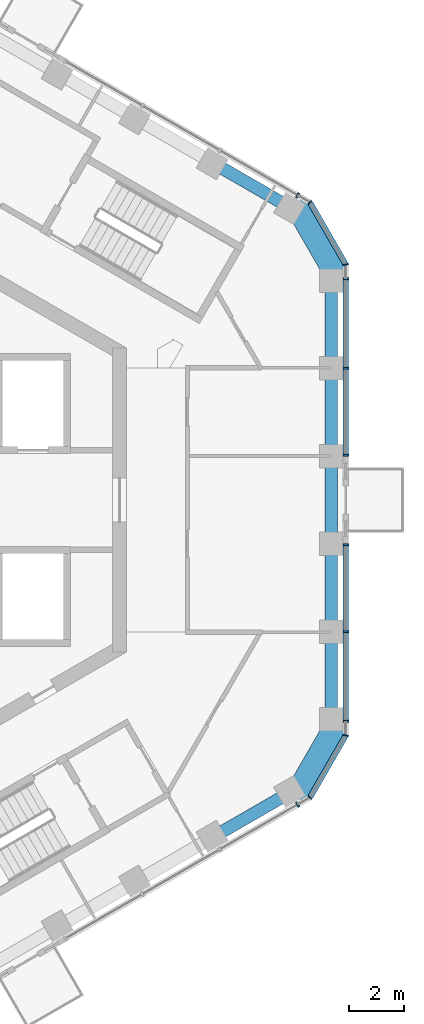
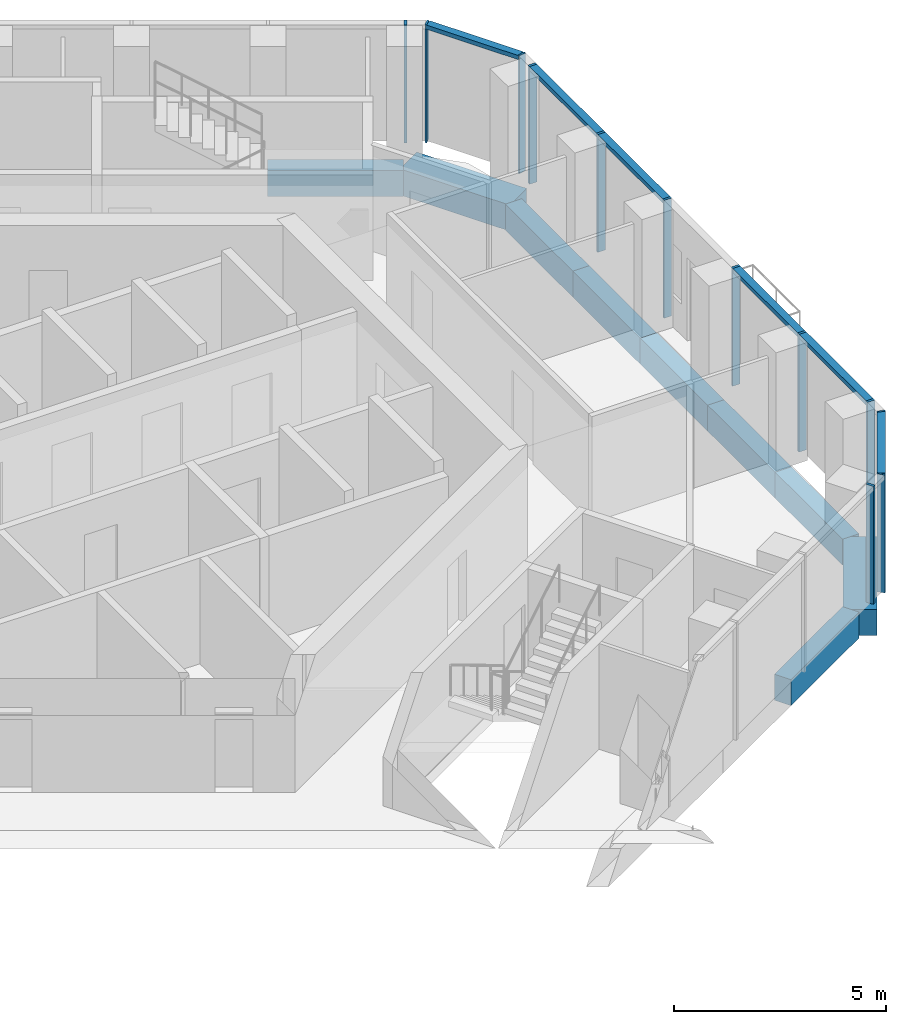
# One storey, part 5 of 19: 16 members, 9 beams, 6 elements without a shape of their own.
"""IFC4 building model written with IfcOpenShell, lengths in metres."""

from ifc_helpers import new_model, si_unit, direction, frame, origin, origin_2d, place, context, subcontext, project, spatial, rectangle, extrude, material, layer, layer_set, material_profile, profile_set, type_object, element, aggregate, save


model = new_model("IFC4")

# Units and contexts
model_context = context("Model", 3, precision=1e-05, world=origin(), true_north=direction((0.0, 1.0)))
body_context = subcontext(model_context, "Body", "Model", "MODEL_VIEW")
ifc_project = project(units=[si_unit("LENGTHUNIT", "METRE"), si_unit("AREAUNIT", "SQUARE_METRE"), si_unit("VOLUMEUNIT", "CUBIC_METRE"), si_unit("PLANEANGLEUNIT", "RADIAN"), si_unit("MASSUNIT", "GRAM", prefix="KILO")], contexts=[model_context])

# Site, building, storey
site_placement = place(None, origin())
site = spatial("IfcSite", under=ifc_project, at=site_placement, CompositionType="ELEMENT")
building_placement = place(site_placement, origin())
building = spatial("IfcBuilding", under=site, at=building_placement, Name="Ayvan Gate Tower", CompositionType="ELEMENT")
storey_placement = place(building_placement, frame((0.0, 0.0, 222.300048828125)))
storey = spatial("IfcBuildingStorey", under=building, at=storey_placement, Name="L59", CompositionType="ELEMENT", Elevation=222.300048828125)

# Beams
ifc_material_1 = material(Name="Concrete C40/50", Category="concrete")
ifc_material_profile_1 = material_profile(ifc_material_1, rectangle(XDim=0.800048828125, YDim=0.75, at=origin_2d()), Name="RC 800x750")
ifc_profile_set_1 = profile_set([ifc_material_profile_1], Name="Concrete C40/50")
beam_type_1 = type_object("IfcBeamType", Name="Corner spandrel beam RC 800x750 C40/50", PredefinedType="BEAM", material=ifc_profile_set_1)
for number, where, z_axis, x_axis, name in (
    (1, (17.078125, 8.073974609375, -0.72509765625), (-0.499990139034, 0.866031096941, 0.0), (-0.866031096941, -0.499990139034, 0.0), "SB-L59-6"),
    (2, (15.578125, -10.672119140625, -0.72509765625), (0.499990139034, 0.866031096941, 0.0), (-0.866031096941, 0.499990139034, 0.0), "SB-L59-36"),
):
    element("IfcBeam", number, at=place(storey_placement, frame(where, z_axis=z_axis, x_axis=x_axis)), inside=storey, type_object=beam_type_1, Name=name, PredefinedType="BEAM", context=body_context, shape_type="SweptSolid", body=[
        extrude(rectangle(XDim=0.800048828125, YDim=0.75, at=origin_2d()), origin(), (0.0, 0.0, 1.0), 3.0),
    ])
ifc_material_profile_2 = material_profile(ifc_material_1, rectangle(XDim=0.449951171875, YDim=0.75, at=origin_2d()), Name="RC 450x750")
ifc_profile_set_2 = profile_set([ifc_material_profile_2], Name="Concrete C40/50")
beam_type_2 = type_object("IfcBeamType", Name="Spandrel beam RC 450x750 C40/50", PredefinedType="BEAM", material=ifc_profile_set_2)
beam_1_placement = place(storey_placement, frame((16.887451171875, -7.964111328125, -0.72509765625), z_axis=(0.0, 1.0, 0.0), x_axis=(-1.0, 0.0, 0.0)))
element("IfcBeam", 3, at=beam_1_placement, inside=storey, type_object=beam_type_2, Name="SB-L59-1", PredefinedType="BEAM", context=body_context, shape_type="SweptSolid", body=[
    extrude(rectangle(XDim=0.449951171875, YDim=0.75, at=origin_2d()), origin(), (0.0, 0.0, 1.0), 3.185791015625),
])
for number, where, z_axis, x_axis, name in (
    (4, (16.887451171875, -4.7783203125, -0.72509765625), (0.0, 1.0, 0.0), (-1.0, 0.0, 0.0), "SB-L59-2"),
    (5, (16.887451171875, -1.5927734375, -0.72509765625), (0.0, 1.0, 0.0), (-1.0, 0.0, 0.0), "SB-L59-3"),
    (6, (16.887451171875, 1.5927734375, -0.72509765625), (0.0, 1.0, 0.0), (-1.0, 0.0, 0.0), "SB-L59-4"),
):
    element("IfcBeam", number, at=place(storey_placement, frame(where, z_axis=z_axis, x_axis=x_axis)), inside=storey, type_object=beam_type_2, Name=name, PredefinedType="BEAM", context=body_context, shape_type="SweptSolid", body=[
        extrude(rectangle(XDim=0.449951171875, YDim=0.75, at=origin_2d()), origin(), (0.0, 0.0, 1.0), 3.185546875),
    ])
beam_2_placement = place(storey_placement, frame((16.887451171875, 4.7783203125, -0.72509765625), z_axis=(0.0, 1.0, 0.0), x_axis=(-1.0, 0.0, 0.0)))
element("IfcBeam", 7, at=beam_2_placement, inside=storey, type_object=beam_type_2, Name="SB-L59-5", PredefinedType="BEAM", context=body_context, shape_type="SweptSolid", body=[
    extrude(rectangle(XDim=0.449951171875, YDim=0.75, at=origin_2d()), origin(), (0.0, 0.0, 1.0), 3.185791015625),
])
for number, where, z_axis, x_axis, name in (
    (8, (15.387451171875, 10.56201171875, -0.72509765625), (-0.866007444426, 0.500031105231, 0.0), (-0.500031105231, -0.866007444426, 0.0), "SB-L59-7"),
    (9, (12.6005859375, -12.171142578125, -0.72509765625), (0.866007444426, 0.500031105231, 0.0), (-0.500031105231, 0.866007444426, 0.0), "SB-L59-35"),
):
    element("IfcBeam", number, at=place(storey_placement, frame(where, z_axis=z_axis, x_axis=x_axis)), inside=storey, type_object=beam_type_2, Name=name, PredefinedType="BEAM", context=body_context, shape_type="SweptSolid", body=[
        extrude(rectangle(XDim=0.449951171875, YDim=0.75, at=origin_2d()), origin(), (0.0, 0.0, 1.0), 3.218017578125),
    ])

# Curtain wall, member
ifc_material_2 = material(Name="Bronze anodised aluminium", Category="aluminium")
ifc_layer_1 = layer(ifc_material_2, 0.199951171875)
ifc_layer_set_1 = layer_set([ifc_layer_1], Name="Bronze anodised aluminium")
curtain_wall_type_1 = type_object("IfcCurtainWallType", Name="Stick curtain wall CW-2", PredefinedType="NOTDEFINED", material=ifc_layer_set_1)
curtain_wall_1_placement = place(storey_placement, origin())
curtain_wall_1 = element("IfcCurtainWall", 10, at=curtain_wall_1_placement, inside=storey, type_object=curtain_wall_type_1, Name="Stick curtain wall CW-2 L59", PredefinedType="NOTDEFINED")
ifc_material_profile_3 = material_profile(ifc_material_2, rectangle(XDim=0.199951171875, YDim=0.070068359375, at=origin_2d()), Name="Stick curtain wall CW-2 mullion 200 x 70")
ifc_profile_set_3 = profile_set([ifc_material_profile_3], Name="Bronze anodised aluminium")
member_type_1 = type_object("IfcMemberType", Name="Stick curtain wall CW-2 mullion 200 x 70", PredefinedType="MULLION", material=ifc_profile_set_3)
member_1_placement = place(storey_placement, frame((15.679443359375, -10.985107421875, 0.0), z_axis=(0.0, 0.0, 1.0), x_axis=(0.5, -0.866025403784, 0.0)))
member_1 = element("IfcMember", 11, at=member_1_placement, type_object=member_type_1, Name="CW-2 mullion 4", PredefinedType="MULLION", context=body_context, shape_type="SweptSolid", body=[
    extrude(rectangle(XDim=0.199951171875, YDim=0.070068359375, at=origin_2d()), origin(), (0.0, 0.0, 1.0), 3.39990234375),
])
aggregate(curtain_wall_1, [member_1])

# Curtain wall, members
curtain_wall_2_placement = place(storey_placement, origin())
curtain_wall_2 = element("IfcCurtainWall", 12, at=curtain_wall_2_placement, inside=storey, type_object=curtain_wall_type_1, Name="Stick curtain wall CW-2 L59", PredefinedType="NOTDEFINED")
member_2_placement = place(storey_placement, frame((17.41259765625, -7.983642578125, 0.0), z_axis=(0.0, 0.0, 1.0), x_axis=(1.0, 0.0, 0.0)))
member_2 = element("IfcMember", 13, at=member_2_placement, type_object=member_type_1, Name="CW-2 mullion 1", PredefinedType="MULLION", context=body_context, shape_type="SweptSolid", body=[
    extrude(rectangle(XDim=0.199951171875, YDim=0.070068359375, at=origin_2d()), origin(), (0.0, 0.0, 1.0), 3.39990234375),
])
member_3_placement = place(storey_placement, frame((17.41259765625, -4.74951171875, 0.0), z_axis=(0.0, 0.0, 1.0), x_axis=(1.0, 0.0, 0.0)))
member_3 = element("IfcMember", 14, at=member_3_placement, type_object=member_type_1, Name="CW-2 mullion 2", PredefinedType="MULLION", context=body_context, shape_type="SweptSolid", body=[
    extrude(rectangle(XDim=0.199951171875, YDim=0.070068359375, at=origin_2d()), origin(), (0.0, 0.0, 1.0), 3.39990234375),
])
member_4_placement = place(storey_placement, frame((17.41259765625, -1.617431640625, 0.0), z_axis=(0.0, 0.0, 1.0), x_axis=(1.0, 0.0, 0.0)))
member_4 = element("IfcMember", 15, at=member_4_placement, type_object=member_type_1, Name="CW-2 mullion 3", PredefinedType="MULLION", context=body_context, shape_type="SweptSolid", body=[
    extrude(rectangle(XDim=0.199951171875, YDim=0.070068359375, at=origin_2d()), origin(), (0.0, 0.0, 1.0), 3.39990234375),
])

curtain_wall_3_placement = place(storey_placement, origin())
curtain_wall_3 = element("IfcCurtainWall", 16, at=curtain_wall_3_placement, inside=storey, type_object=curtain_wall_type_1, Name="Stick curtain wall CW-2 L59", PredefinedType="NOTDEFINED")
member_5_placement = place(storey_placement, frame((17.41259765625, 1.618408203125, 0.0), z_axis=(0.0, 0.0, 1.0), x_axis=(1.0, 0.0, 0.0)))
member_5 = element("IfcMember", 17, at=member_5_placement, type_object=member_type_1, Name="CW-2 mullion 1", PredefinedType="MULLION", context=body_context, shape_type="SweptSolid", body=[
    extrude(rectangle(XDim=0.199951171875, YDim=0.070068359375, at=origin_2d()), origin(), (0.0, 0.0, 1.0), 3.39990234375),
])
member_6_placement = place(storey_placement, frame((17.41259765625, 4.74951171875, 0.0), z_axis=(0.0, 0.0, 1.0), x_axis=(1.0, 0.0, 0.0)))
member_6 = element("IfcMember", 18, at=member_6_placement, type_object=member_type_1, Name="CW-2 mullion 2", PredefinedType="MULLION", context=body_context, shape_type="SweptSolid", body=[
    extrude(rectangle(XDim=0.199951171875, YDim=0.070068359375, at=origin_2d()), origin(), (0.0, 0.0, 1.0), 3.39990234375),
])
member_7_placement = place(storey_placement, frame((17.41259765625, 7.983642578125, 0.0), z_axis=(0.0, 0.0, 1.0), x_axis=(1.0, 0.0, 0.0)))
member_7 = element("IfcMember", 19, at=member_7_placement, type_object=member_type_1, Name="CW-2 mullion 3", PredefinedType="MULLION", context=body_context, shape_type="SweptSolid", body=[
    extrude(rectangle(XDim=0.199951171875, YDim=0.070068359375, at=origin_2d()), origin(), (0.0, 0.0, 1.0), 3.39990234375),
])

# Curtain wall, member
curtain_wall_4_placement = place(storey_placement, origin())
curtain_wall_4 = element("IfcCurtainWall", 20, at=curtain_wall_4_placement, inside=storey, type_object=curtain_wall_type_1, Name="Stick curtain wall CW-2 L59", PredefinedType="NOTDEFINED")
member_8_placement = place(storey_placement, frame((15.679443359375, 10.985107421875, 0.0), z_axis=(0.0, 0.0, 1.0), x_axis=(0.5, 0.866025403784, 0.0)))
member_8 = element("IfcMember", 21, at=member_8_placement, type_object=member_type_1, Name="CW-2 mullion 1", PredefinedType="MULLION", context=body_context, shape_type="SweptSolid", body=[
    extrude(rectangle(XDim=0.199951171875, YDim=0.070068359375, at=origin_2d()), origin(), (0.0, 0.0, 1.0), 3.39990234375),
])
aggregate(curtain_wall_4, [member_8])

# Member
ifc_material_profile_4 = material_profile(ifc_material_2, rectangle(XDim=0.199951171875, YDim=0.1201171875, at=origin_2d()), Name="Stick curtain wall CW-2 transom 200 x 120")
ifc_profile_set_4 = profile_set([ifc_material_profile_4], Name="Bronze anodised aluminium")
member_type_2 = type_object("IfcMemberType", Name="Stick curtain wall CW-2 transom 200 x 120", PredefinedType="USERDEFINED", material=ifc_profile_set_4)
member_9_placement = place(storey_placement, frame((17.41259765625, -7.983642578125, 3.33984375), z_axis=(0.0, 1.0, 0.0), x_axis=(-1.0, 0.0, 0.0)))
member_9 = element("IfcMember", 22, at=member_9_placement, type_object=member_type_2, Name="CW-2 transom 1", ObjectType="TRANSOM", PredefinedType="USERDEFINED", context=body_context, shape_type="SweptSolid", body=[
    extrude(rectangle(XDim=0.199951171875, YDim=0.1201171875, at=origin_2d()), origin(), (0.0, 0.0, 1.0), 6.3662109375),
])

aggregate(curtain_wall_2, [member_2, member_3, member_4, member_9])

member_10_placement = place(storey_placement, frame((17.41259765625, 1.618408203125, 3.33984375), z_axis=(0.0, 1.0, 0.0), x_axis=(-1.0, 0.0, 0.0)))
member_10 = element("IfcMember", 23, at=member_10_placement, type_object=member_type_2, Name="CW-2 transom 1", ObjectType="TRANSOM", PredefinedType="USERDEFINED", context=body_context, shape_type="SweptSolid", body=[
    extrude(rectangle(XDim=0.199951171875, YDim=0.1201171875, at=origin_2d()), origin(), (0.0, 0.0, 1.0), 6.365234375),
])

aggregate(curtain_wall_3, [member_5, member_6, member_7, member_10])

# Curtain wall, members
ifc_layer_2 = layer(ifc_material_2, 0.199951171875)
ifc_layer_set_2 = layer_set([ifc_layer_2], Name="Bronze anodised aluminium")
curtain_wall_type_2 = type_object("IfcCurtainWallType", Name="Stick curtain wall CW-6", PredefinedType="NOTDEFINED", material=ifc_layer_set_2)
curtain_wall_5_placement = place(storey_placement, origin())
curtain_wall_5 = element("IfcCurtainWall", 24, at=curtain_wall_5_placement, inside=storey, type_object=curtain_wall_type_2, Name="Stick curtain wall CW-6 L59", PredefinedType="NOTDEFINED")
ifc_material_profile_5 = material_profile(ifc_material_2, rectangle(XDim=0.199951171875, YDim=0.050048828125, at=origin_2d()), Name="Stick curtain wall CW-6 mullion 200 x 50")
ifc_profile_set_5 = profile_set([ifc_material_profile_5], Name="Bronze anodised aluminium")
member_type_3 = type_object("IfcMemberType", Name="Stick curtain wall CW-6 mullion 200 x 50", PredefinedType="MULLION", material=ifc_profile_set_5)
member_11_placement = place(storey_placement, frame((16.12109375, -10.72998046875, 0.0), z_axis=(0.0, 0.0, 1.0), x_axis=(0.707106781187, -0.707106781187, 0.0)))
member_11 = element("IfcMember", 25, at=member_11_placement, type_object=member_type_3, Name="CW-6 mullion 2", PredefinedType="MULLION", context=body_context, shape_type="SweptSolid", body=[
    extrude(rectangle(XDim=0.199951171875, YDim=0.050048828125, at=origin_2d()), origin(), (0.0, 0.0, 1.0), 3.39990234375),
])
member_12_placement = place(storey_placement, frame((17.41259765625, -8.49365234375, 0.0), z_axis=(0.0, 0.0, 1.0), x_axis=(0.965925826289, -0.258819045103, 0.0)))
member_12 = element("IfcMember", 26, at=member_12_placement, type_object=member_type_3, Name="CW-6 mullion 3", PredefinedType="MULLION", context=body_context, shape_type="SweptSolid", body=[
    extrude(rectangle(XDim=0.199951171875, YDim=0.050048828125, at=origin_2d()), origin(), (0.0, 0.0, 1.0), 3.39990234375),
])

curtain_wall_6_placement = place(storey_placement, origin())
curtain_wall_6 = element("IfcCurtainWall", 27, at=curtain_wall_6_placement, inside=storey, type_object=curtain_wall_type_2, Name="Stick curtain wall CW-6 L59", PredefinedType="NOTDEFINED")
member_13_placement = place(storey_placement, frame((17.41259765625, 8.49365234375, 0.0), z_axis=(0.0, 0.0, 1.0), x_axis=(0.965925826289, 0.258819045103, 0.0)))
member_13 = element("IfcMember", 28, at=member_13_placement, type_object=member_type_3, Name="CW-6 mullion 2", PredefinedType="MULLION", context=body_context, shape_type="SweptSolid", body=[
    extrude(rectangle(XDim=0.199951171875, YDim=0.050048828125, at=origin_2d()), origin(), (0.0, 0.0, 1.0), 3.39990234375),
])
member_14_placement = place(storey_placement, frame((16.12109375, 10.72998046875, 0.0), z_axis=(0.0, 0.0, 1.0), x_axis=(0.707106781187, 0.707106781187, 0.0)))
member_14 = element("IfcMember", 29, at=member_14_placement, type_object=member_type_3, Name="CW-6 mullion 3", PredefinedType="MULLION", context=body_context, shape_type="SweptSolid", body=[
    extrude(rectangle(XDim=0.199951171875, YDim=0.050048828125, at=origin_2d()), origin(), (0.0, 0.0, 1.0), 3.39990234375),
])

# Member
ifc_material_profile_6 = material_profile(ifc_material_2, rectangle(XDim=0.199951171875, YDim=0.1201171875, at=origin_2d()), Name="Stick curtain wall CW-6 transom 200 x 120")
ifc_profile_set_6 = profile_set([ifc_material_profile_6], Name="Bronze anodised aluminium")
member_type_4 = type_object("IfcMemberType", Name="Stick curtain wall CW-6 transom 200 x 120", PredefinedType="USERDEFINED", material=ifc_profile_set_6)
member_15_placement = place(storey_placement, frame((16.1337890625, -10.70849609375, 3.33984375), z_axis=(0.499933856714, 0.866063588261, 0.0), x_axis=(-0.866063588261, 0.499933856714, 0.0)))
member_15 = element("IfcMember", 30, at=member_15_placement, type_object=member_type_4, Name="CW-6 transom 2", ObjectType="TRANSOM", PredefinedType="USERDEFINED", context=body_context, shape_type="SweptSolid", body=[
    extrude(rectangle(XDim=0.199951171875, YDim=0.1201171875, at=origin_2d()), origin(), (0.0, 0.0, 1.0), 2.532470703125),
])

aggregate(curtain_wall_5, [member_11, member_12, member_15])

member_16_placement = place(storey_placement, frame((17.39990234375, 8.51513671875, 3.33984375), z_axis=(-0.499933856714, 0.866063588261, 0.0), x_axis=(-0.866063588261, -0.499933856714, 0.0)))
member_16 = element("IfcMember", 31, at=member_16_placement, type_object=member_type_4, Name="CW-6 transom 2", ObjectType="TRANSOM", PredefinedType="USERDEFINED", context=body_context, shape_type="SweptSolid", body=[
    extrude(rectangle(XDim=0.199951171875, YDim=0.1201171875, at=origin_2d()), origin(), (0.0, 0.0, 1.0), 2.532470703125),
])

aggregate(curtain_wall_6, [member_13, member_14, member_16])

save(model, "model.ifc")
